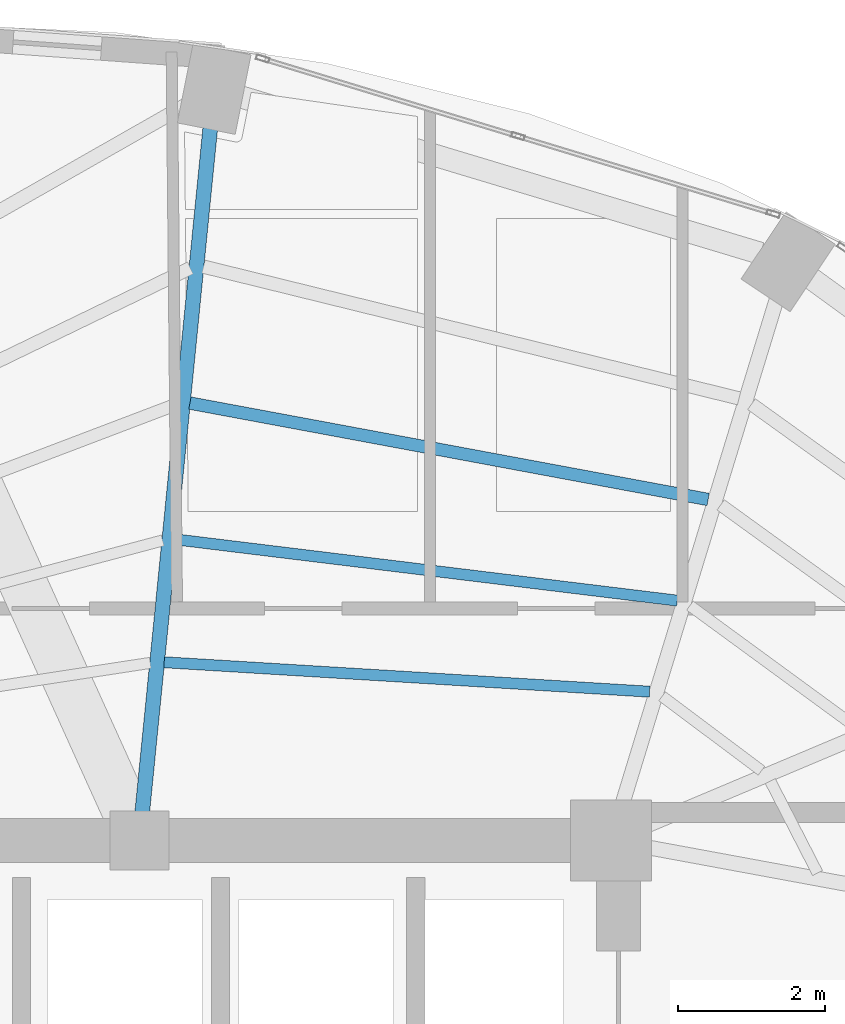
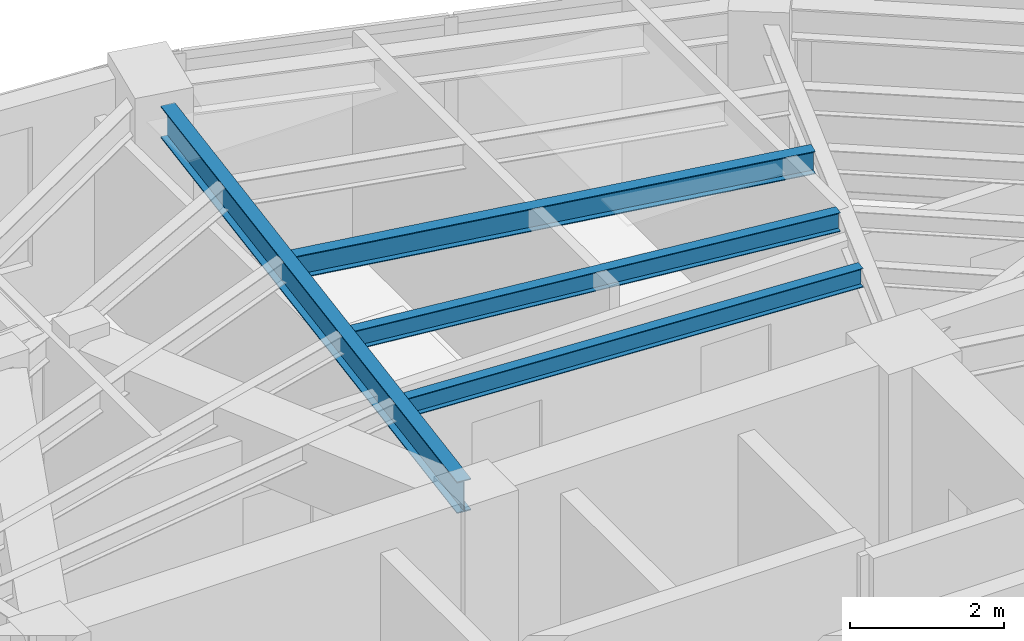
# One storey, part 11 of 22: 4 beams.
"""IFC4 building model written with IfcOpenShell, lengths in metres."""

import ifcopenshell
import ifcopenshell.guid

model = None  # the IFC model being written
_history = None  # IfcOwnerHistory: only IFC2X3 demands one
_inside = {}  # id of a spatial element -> (the spatial element, [elements in it])
_under = {}  # id of a project, library or spatial element -> (it, [spatial elements below it])
_declared = {}  # id of a project -> (the project, [libraries it declares])
_typed = {}  # id of a type object -> (the type object, [elements of that type])
_made_of = {}  # id of a material, layer set ... -> (it, [elements and type objects made of it])


def new_model(schema):
    """Start an empty IFC model of exactly this schema.

    Asked for "IFC4X3", IfcOpenShell would pick the latest addendum, in which some entities
    have other attributes; the version numbers below select the first issue.
    IFC2X3 requires an IfcOwnerHistory on every rooted entity: one is made here for all.
    """
    global model, _history
    if schema == "IFC4X3":
        model = ifcopenshell.file(schema_version=(4, 3, 0, 0))
    else:
        model = ifcopenshell.file(schema=schema)
    _inside.clear()
    _under.clear()
    _declared.clear()
    _typed.clear()
    _made_of.clear()
    _history = None
    if model.schema == "IFC2X3":
        org = make("IfcOrganization", Name="unknown")
        user = make(
            "IfcPersonAndOrganization",
            ThePerson=make("IfcPerson", FamilyName="unknown"),
            TheOrganization=org,
        )
        app = make(
            "IfcApplication",
            ApplicationDeveloper=org,
            Version="unknown",
            ApplicationFullName="unknown",
            ApplicationIdentifier="unknown",
        )
        _history = make(
            "IfcOwnerHistory",
            OwningUser=user,
            OwningApplication=app,
            ChangeAction="ADDED",
            CreationDate=0,
        )
    return model


def make(cls, **values):
    """One entity of the class cls with the attributes given. An attribute that is None is left unset."""
    return model.create_entity(
        cls, **{name: value for name, value in values.items() if value is not None}
    )


def rooted(cls, **values):
    """An entity with a GlobalId (a new one), such as an element, a storey or a relation."""
    return make(cls, GlobalId=ifcopenshell.guid.new(), OwnerHistory=_history, **values)


def si_unit(unit_type, name, prefix=None):
    """IfcSIUnit, for example si_unit("LENGTHUNIT", "METRE", prefix="MILLI")."""
    return make("IfcSIUnit", UnitType=unit_type, Prefix=prefix, Name=name)


def assignment(units):
    """IfcUnitAssignment: the units of a project."""
    return None if units is None else make("IfcUnitAssignment", Units=units)


def point(xyz):
    """IfcCartesianPoint."""
    return None if xyz is None else make("IfcCartesianPoint", Coordinates=xyz)


def direction(xyz):
    """IfcDirection."""
    return None if xyz is None else make("IfcDirection", DirectionRatios=xyz)


def frame(location, z_axis=None, x_axis=None):
    """IfcAxis2Placement3D, a coordinate frame: its origin and axes. An axis left out is left unset."""
    return make(
        "IfcAxis2Placement3D",
        Location=point(location),
        Axis=direction(z_axis),
        RefDirection=direction(x_axis),
    )


def frame_2d(location, x_axis=None):
    """IfcAxis2Placement2D, a coordinate frame in the plane: its origin and x axis."""
    return make(
        "IfcAxis2Placement2D", Location=point(location), RefDirection=direction(x_axis)
    )


def origin():
    """The frame at (0, 0, 0) with its axes left unset."""
    return frame((0.0, 0.0, 0.0))


def origin_2d():
    """The frame at (0, 0) in the plane with its x axis left unset."""
    return frame_2d((0.0, 0.0))


def place(relative_to, where):
    """IfcLocalPlacement: puts the frame where relative to a parent placement (None: the world)."""
    return make(
        "IfcLocalPlacement", PlacementRelTo=relative_to, RelativePlacement=where
    )


def context(
    kind, dimensions, precision=None, world=None, true_north=None, identifier=None
):
    """IfcGeometricRepresentationContext, for example the 3D "Model" context."""
    return make(
        "IfcGeometricRepresentationContext",
        ContextIdentifier=identifier,
        ContextType=kind,
        CoordinateSpaceDimension=dimensions,
        Precision=precision,
        WorldCoordinateSystem=world,
        TrueNorth=true_north,
    )


def subcontext(parent, identifier, kind, view, scale=None):
    """IfcGeometricRepresentationSubContext, for example "Body" below "Model"."""
    return make(
        "IfcGeometricRepresentationSubContext",
        ContextIdentifier=identifier,
        ContextType=kind,
        ParentContext=parent,
        TargetScale=scale,
        TargetView=view,
    )


def project(units=None, contexts=None):
    """IfcProject with its units and contexts."""
    return rooted(
        "IfcProject",
        Name="project",
        RepresentationContexts=contexts,
        UnitsInContext=assignment(units),
    )


def spatial(cls, under=None, at=None, **own):
    """A site, building, storey or space (cls), placed at a placement, below another one or the project."""
    s = rooted(cls, ObjectPlacement=at, **own)
    if under is not None:
        _under.setdefault(under.id(), (under, []))[1].append(s)
    return s


def profile(cls, at=None, kind="AREA", **sizes):
    """A parametric profile (cls). Its sizes go by their IFC names, for example OverallWidth=200.0."""
    return make(cls, ProfileType=kind, Position=at, **sizes)


def i_section(**sizes):
    """IfcIShapeProfileDef."""
    return profile("IfcIShapeProfileDef", **sizes)


def extrude(swept, where, along, depth):
    """IfcExtrudedAreaSolid: the profile swept, set in the frame where, extruded along a direction by depth."""
    return make(
        "IfcExtrudedAreaSolid",
        SweptArea=swept,
        Position=where,
        ExtrudedDirection=direction(along),
        Depth=depth,
    )


def shape(context_of_items, identifier, shape_type, items):
    """IfcShapeRepresentation: the items that make up one representation, for example the "Body"."""
    return make(
        "IfcShapeRepresentation",
        ContextOfItems=context_of_items,
        RepresentationIdentifier=identifier,
        RepresentationType=shape_type,
        Items=items,
    )


def material(Name=None, Category=None):
    """IfcMaterial."""
    return make("IfcMaterial", Name=Name, Category=Category)


def material_profile(
    of_material, cross_section, Name=None, Category=None, Priority=None
):
    """IfcMaterialProfile: a cross section and its material."""
    return make(
        "IfcMaterialProfile",
        Name=Name,
        Material=of_material,
        Profile=cross_section,
        Priority=Priority,
        Category=Category,
    )


def profile_set(profiles, Name=None, composite=None):
    """IfcMaterialProfileSet."""
    return make(
        "IfcMaterialProfileSet",
        Name=Name,
        MaterialProfiles=profiles,
        CompositeProfile=composite,
    )


def made_of(thing, what):
    """Note that an element or type object is made of a material, layer set ...; save() writes the relation."""
    if what is not None:
        _made_of.setdefault(what.id(), (what, []))[1].append(thing)
    return thing


def type_object(cls, material=None, **own):
    """A type object (cls), such as IfcWallType, which elements share."""
    return made_of(rooted(cls, **own), material)


def element(
    cls,
    number,
    at=None,
    inside=None,
    cuts=None,
    type_object=None,
    material=None,
    context=None,
    identifier="Body",
    shape_type=None,
    held_by="IfcProductDefinitionShape",
    body=None,
    shapes=None,
    **own,
):
    """One element of the class cls, such as IfcWall. Its Tag is "e" and its number.

    at: its placement. inside: the storey or other place that contains it. cuts: it is an
    opening in that element (IfcRelVoidsElement). A single representation is given by context,
    identifier, shape_type and body (its items); several are given by shapes. held_by: the class
    of the entity that holds the representations. save() writes the other relations.
    """
    e = rooted(cls, Tag="e%d" % number, ObjectPlacement=at, **own)
    if body is not None:
        shapes = [shape(context, identifier, shape_type, body)]
    if shapes is not None:
        e.Representation = make(held_by, Representations=shapes)
    if inside is not None:
        _inside.setdefault(inside.id(), (inside, []))[1].append(e)
    if cuts is not None:
        rooted(
            "IfcRelVoidsElement", RelatingBuildingElement=cuts, RelatedOpeningElement=e
        )
    if type_object is not None:
        _typed.setdefault(type_object.id(), (type_object, []))[1].append(e)
    return made_of(e, material)


def aggregate(whole, parts):
    """IfcRelAggregates: a whole, such as a stair, and the parts it consists of."""
    return rooted("IfcRelAggregates", RelatingObject=whole, RelatedObjects=parts)


def save(model, path):
    """Write the relations noted so far, then the file.

    IfcRelAggregates (storeys below a building ...), IfcRelContainedInSpatialStructure (elements
    in a storey), IfcRelDefinesByType, IfcRelAssociatesMaterial and IfcRelDeclares: one each for
    every whole, place, type object, material and project.
    """
    for whole, parts in _under.values():
        aggregate(whole, parts)
    for where, things in _inside.values():
        rooted(
            "IfcRelContainedInSpatialStructure",
            RelatedElements=things,
            RelatingStructure=where,
        )
    for kind, things in _typed.values():
        rooted("IfcRelDefinesByType", RelatedObjects=things, RelatingType=kind)
    for what, things in _made_of.values():
        rooted("IfcRelAssociatesMaterial", RelatedObjects=things, RelatingMaterial=what)
    for by, libraries in _declared.values():
        rooted("IfcRelDeclares", RelatingContext=by, RelatedDefinitions=libraries)
    model.write(path)


model = new_model("IFC4")

# Units and contexts
model_context = context("Model", 3, precision=1e-05, world=origin(), true_north=direction((0.0, 1.0)))
body_context = subcontext(model_context, "Body", "Model", "MODEL_VIEW")
ifc_project = project(units=[si_unit("LENGTHUNIT", "METRE"), si_unit("AREAUNIT", "SQUARE_METRE"), si_unit("VOLUMEUNIT", "CUBIC_METRE"), si_unit("PLANEANGLEUNIT", "RADIAN"), si_unit("MASSUNIT", "GRAM", prefix="KILO")], contexts=[model_context])

# Site, building, storey
site_placement = place(None, origin())
site = spatial("IfcSite", under=ifc_project, at=site_placement, CompositionType="ELEMENT")
building_placement = place(site_placement, origin())
building = spatial("IfcBuilding", under=site, at=building_placement, Name="Lazwardi Medical Tower", CompositionType="ELEMENT")
storey_placement = place(building_placement, frame((0.0, 0.0, 224.01611328125)))
storey = spatial("IfcBuildingStorey", under=building, at=storey_placement, Name="L58", CompositionType="ELEMENT", Elevation=224.01611328125)

# Beams
ifc_material = material(Name="Steel S355", Category="steel")
ifc_material_profile_1 = material_profile(ifc_material, i_section(OverallWidth=0.199951171875, OverallDepth=0.5, WebThickness=0.01025390625, FlangeThickness=0.01611328125, at=origin_2d()), Name="IPE 500")
ifc_profile_set_1 = profile_set([ifc_material_profile_1], Name="Steel S355")
beam_type_1 = type_object("IfcBeamType", Name="BM-RG-W3", PredefinedType="BEAM", material=ifc_profile_set_1)
beam_1_placement = place(storey_placement, frame((40.1611328125, 45.265869140625, 3.197998046875), z_axis=(-0.098954361922, -0.995091972763, 0.0), x_axis=(0.995091972763, -0.098954361922, 0.0)))
element("IfcBeam", 1, at=beam_1_placement, inside=storey, type_object=beam_type_1, Name="Radial girder RG-04 R08 L58", PredefinedType="BEAM", context=body_context, shape_type="SweptSolid", body=[
    extrude(i_section(OverallWidth=0.199951171875, OverallDepth=0.5, WebThickness=0.01025390625, FlangeThickness=0.01611328125, at=origin_2d()), origin(), (0.0, 0.0, 1.0), 9.32861328125),
])
ifc_material_profile_2 = material_profile(ifc_material, i_section(OverallWidth=0.169921875, OverallDepth=0.360107421875, WebThickness=0.008056640625, FlangeThickness=0.0126953125, at=origin_2d()), Name="IPE 360")
ifc_profile_set_2 = profile_set([ifc_material_profile_2], Name="Steel S355")
beam_type_2 = type_object("IfcBeamType", Name="BM-SJ-02", PredefinedType="JOIST", material=ifc_profile_set_2)
beam_2_placement = place(storey_placement, frame((46.91552734375, 40.2275390625, 3.267822265625), z_axis=(-0.983132476587, 0.182894870019, 0.0), x_axis=(-0.182894870019, -0.983132476587, 0.0)))
element("IfcBeam", 2, at=beam_2_placement, inside=storey, type_object=beam_type_2, Name="Secondary joist SJ-02 R2 B07 L58", PredefinedType="JOIST", context=body_context, shape_type="SweptSolid", body=[
    extrude(i_section(OverallWidth=0.169921875, OverallDepth=0.360107421875, WebThickness=0.008056640625, FlangeThickness=0.0126953125, at=origin_2d()), origin(), (0.0, 0.0, 1.0), 7.15087890625),
])
ifc_material_profile_3 = material_profile(ifc_material, i_section(OverallWidth=0.14990234375, OverallDepth=0.300048828125, WebThickness=0.007080078125, FlangeThickness=0.0107421875, at=origin_2d()), Name="IPE 300")
ifc_profile_set_3 = profile_set([ifc_material_profile_3], Name="Steel S355")
beam_type_3 = type_object("IfcBeamType", Name="BM-SJ-03", PredefinedType="JOIST", material=ifc_profile_set_3)
beam_3_placement = place(storey_placement, frame((46.4970703125, 38.85546875, 3.2978515625), z_axis=(-0.992634689535, 0.121146081783, 0.0), x_axis=(-0.121146081783, -0.992634689535, 0.0)))
element("IfcBeam", 3, at=beam_3_placement, inside=storey, type_object=beam_type_3, Name="Secondary joist SJ-03 R3 B07 L58", PredefinedType="JOIST", context=body_context, shape_type="SweptSolid", body=[
    extrude(i_section(OverallWidth=0.14990234375, OverallDepth=0.300048828125, WebThickness=0.007080078125, FlangeThickness=0.0107421875, at=origin_2d()), origin(), (0.0, 0.0, 1.0), 6.845947265625),
])
beam_4_placement = place(storey_placement, frame((46.120849609375, 37.6201171875, 3.2978515625), z_axis=(-0.998165515862, 0.060544223044, 0.0), x_axis=(-0.060544223044, -0.998165515862, 0.0)))
element("IfcBeam", 4, at=beam_4_placement, inside=storey, type_object=beam_type_3, Name="Secondary joist SJ-03 R4 B07 L58", PredefinedType="JOIST", context=body_context, shape_type="SweptSolid", body=[
    extrude(i_section(OverallWidth=0.14990234375, OverallDepth=0.300048828125, WebThickness=0.007080078125, FlangeThickness=0.0107421875, at=origin_2d()), origin(), (0.0, 0.0, 1.0), 6.59716796875),
])

save(model, "model.ifc")
